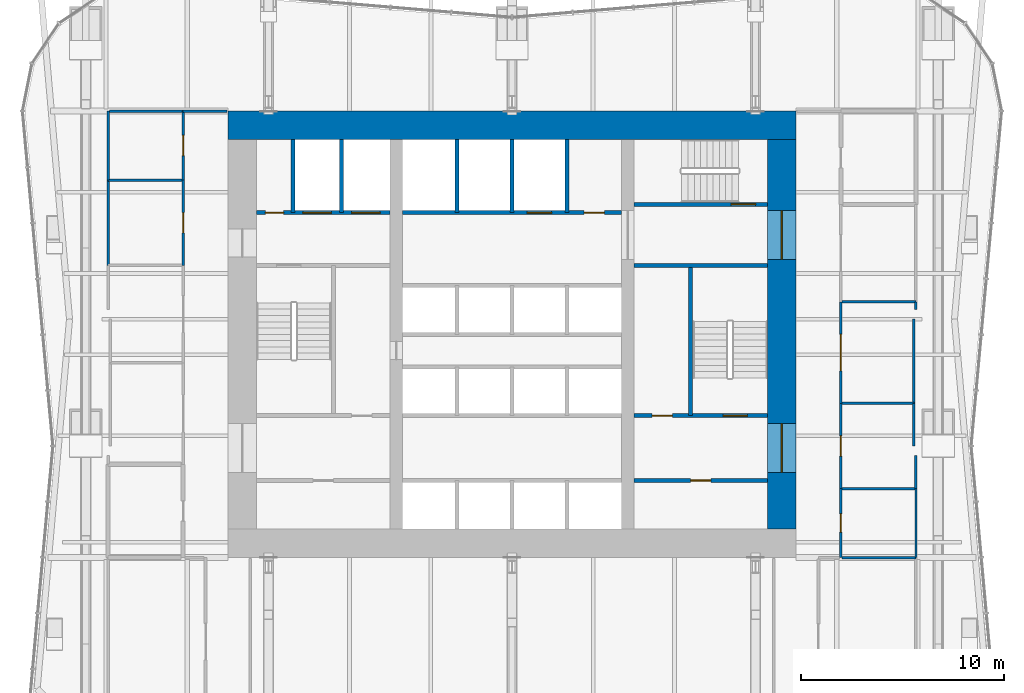
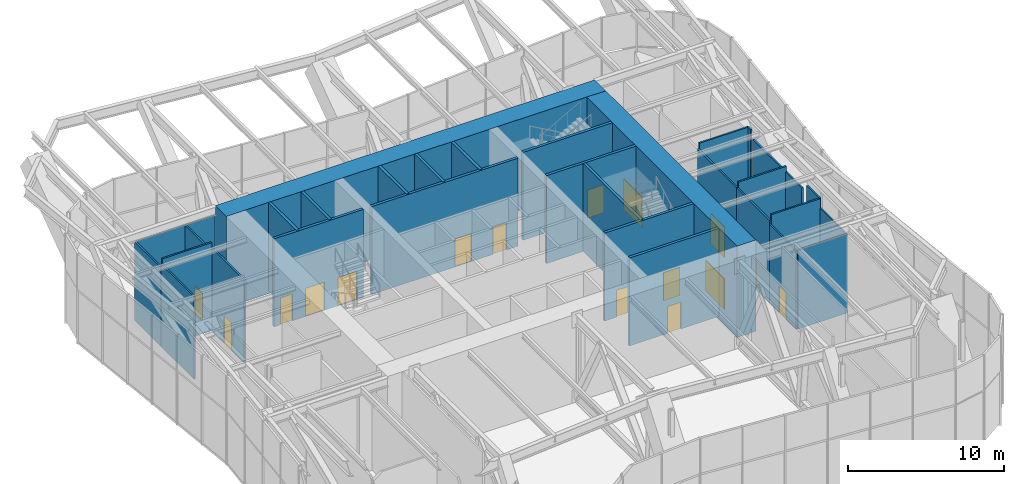
# One storey, part 13 of 17: 33 walls, 16 doors, 16 openings.
"""IFC4 building model written with IfcOpenShell, lengths in metres."""

from ifc_helpers import new_model, si_unit, direction, frame, frame_2d, origin, place, context, subcontext, project, spatial, rectangle, extrude, material, layer, layer_set, type_object, element, fill, save


model = new_model("IFC4")

# Units and contexts
model_context = context("Model", 3, precision=1e-05, world=origin(), true_north=direction((0.0, 1.0)))
body_context = subcontext(model_context, "Body", "Model", "MODEL_VIEW")
ifc_project = project(units=[si_unit("LENGTHUNIT", "METRE"), si_unit("AREAUNIT", "SQUARE_METRE"), si_unit("VOLUMEUNIT", "CUBIC_METRE"), si_unit("PLANEANGLEUNIT", "RADIAN"), si_unit("MASSUNIT", "GRAM", prefix="KILO")], contexts=[model_context])

# Site, building, storey
site_placement = place(None, origin())
site = spatial("IfcSite", under=ifc_project, at=site_placement, CompositionType="ELEMENT")
building_placement = place(site_placement, origin())
building = spatial("IfcBuilding", under=site, at=building_placement, Name="Verdant Reach Tower", CompositionType="ELEMENT")
storey_placement = place(building_placement, frame((0.0, 0.0, 58.0)))
storey = spatial("IfcBuildingStorey", under=building, at=storey_placement, Name="L13 Plant", CompositionType="ELEMENT", Elevation=58.0)

# Wall, opening, door
ifc_material_1 = material(Name="Gypsum board on steel studs", Category="steel")
ifc_layer_1 = layer(ifc_material_1, 0.199951171875)
ifc_layer_set_1 = layer_set([ifc_layer_1], Name="CO-WALL-ROOM")
wall_type_1 = type_object("IfcWallType", Name="CO-WALL-ROOM", PredefinedType="PARTITIONING", material=ifc_layer_set_1)
wall_1_placement = place(storey_placement, frame((6.0, 20.800048828125, 0.0), z_axis=(0.0, 0.0, 1.0), x_axis=(1.0, 0.0, 0.0)))
wall_1 = element("IfcWall", 1, at=wall_1_placement, inside=storey, type_object=wall_type_1, Name="Core partition, L13 Plant", PredefinedType="PARTITIONING", context=body_context, shape_type="SweptSolid", body=[
    extrude(rectangle(XDim=6.60009765625, YDim=0.199951171875, at=frame_2d((3.300048828125, 0.0))), origin(), (0.0, 0.0, 1.0), 6.8701171875),
])
opening_1_placement = place(wall_1_placement, frame((2.800048828125, 0.0, 0.0)))
opening_1 = element("IfcOpeningElement", 2, at=opening_1_placement, cuts=wall_1, Name="Opening CD", PredefinedType="OPENING", context=body_context, shape_type="SweptSolid", body=[
    extrude(rectangle(XDim=1.0, YDim=2.10009765625, at=frame_2d((0.5, 1.050048828125))), frame((0.0, 0.10986328125, 0.0), z_axis=(0.0, -1.0, 0.0), x_axis=(1.0, 0.0, 0.0)), (0.0, 0.0, 1.0), 0.219970703125),
])
ifc_material_2 = material(Name="Timber", Category="wood")
door_type_1 = type_object("IfcDoorType", Name="CO-DOOR-ROOM", OperationType="NOTDEFINED", PredefinedType="DOOR", material=ifc_material_2)
door_1_placement = place(opening_1_placement, origin())
door_1 = element("IfcDoor", 3, at=door_1_placement, inside=storey, type_object=door_type_1, Name="Core room door, L13 Plant", OperationType="SINGLE_SWING_RIGHT", OverallHeight=2.10009765625, OverallWidth=1.0, PredefinedType="DOOR", context=body_context, shape_type="SweptSolid", body=[
    extrude(rectangle(XDim=1.0, YDim=2.10009765625, at=frame_2d((0.5, 1.050048828125))), frame((0.0, 0.02490234375, 0.0), z_axis=(0.0, -1.0, 0.0), x_axis=(1.0, 0.0, 0.0)), (0.0, 0.0, 1.0), 0.050048828125),
])
fill(opening_1, door_1)

# Wall, openings, doors
ifc_material_3 = material(Name="Concrete C40/50", Category="concrete")
ifc_layer_2 = layer(ifc_material_3, 0.199951171875)
ifc_layer_set_2 = layer_set([ifc_layer_2], Name="CO-WALL-SHAFT")
wall_type_2 = type_object("IfcWallType", Name="CO-WALL-SHAFT", PredefinedType="PARTITIONING", material=ifc_layer_set_2)
wall_2_placement = place(storey_placement, frame((-12.60009765625, 34.0, 0.0), z_axis=(0.0, 0.0, 1.0), x_axis=(1.0, 0.0, 0.0)))
wall_2 = element("IfcWall", 4, at=wall_2_placement, inside=storey, type_object=wall_type_2, Name="Lift shaft wall, L13 Plant", PredefinedType="PARTITIONING", context=body_context, shape_type="SweptSolid", body=[
    extrude(rectangle(XDim=6.60009765625, YDim=0.199951171875, at=frame_2d((3.300048828125, 0.0))), origin(), (0.0, 0.0, 1.0), 6.8701171875),
])
opening_2_placement = place(wall_2_placement, frame((4.699951171875, 0.0, 0.0)))
opening_2 = element("IfcOpeningElement", 5, at=opening_2_placement, cuts=wall_2, Name="Opening LD-F1", PredefinedType="OPENING", context=body_context, shape_type="SweptSolid", body=[
    extrude(rectangle(XDim=1.39990234375, YDim=2.199951171875, at=frame_2d((0.699951171875, 1.10009765625))), frame((0.0, 0.10986328125, 0.0), z_axis=(0.0, -1.0, 0.0), x_axis=(1.0, 0.0, 0.0)), (0.0, 0.0, 1.0), 0.219970703125),
])
opening_3_placement = place(wall_2_placement, frame((2.300048828125, 0.0, 0.0)))
opening_3 = element("IfcOpeningElement", 6, at=opening_3_placement, cuts=wall_2, Name="Opening LD-F2", PredefinedType="OPENING", context=body_context, shape_type="SweptSolid", body=[
    extrude(rectangle(XDim=1.39990234375, YDim=2.199951171875, at=frame_2d((0.699951171875, 1.10009765625))), frame((0.0, 0.10986328125, 0.0), z_axis=(0.0, -1.0, 0.0), x_axis=(1.0, 0.0, 0.0)), (0.0, 0.0, 1.0), 0.219970703125),
])
opening_4_placement = place(wall_2_placement, frame((0.449951171875, 0.0, 0.0)))
opening_4 = element("IfcOpeningElement", 7, at=opening_4_placement, cuts=wall_2, Name="Opening RD", PredefinedType="OPENING", context=body_context, shape_type="SweptSolid", body=[
    extrude(rectangle(XDim=0.89990234375, YDim=2.10009765625, at=frame_2d((0.449951171875, 1.050048828125))), frame((0.0, 0.10986328125, 0.0), z_axis=(0.0, -1.0, 0.0), x_axis=(1.0, 0.0, 0.0)), (0.0, 0.0, 1.0), 0.219970703125),
])
ifc_material_4 = material(Name="Stainless steel", Category="steel")
door_type_2 = type_object("IfcDoorType", Name="CO-DOOR-LANDING-FF", OperationType="SLIDING_TO_LEFT", PredefinedType="DOOR", material=ifc_material_4)
door_2_placement = place(opening_2_placement, origin())
door_2 = element("IfcDoor", 8, at=door_2_placement, inside=storey, type_object=door_type_2, Name="Landing door F1, L13 Plant", OperationType="SLIDING_TO_LEFT", OverallHeight=2.199951171875, OverallWidth=1.39990234375, PredefinedType="DOOR", context=body_context, shape_type="SweptSolid", body=[
    extrude(rectangle(XDim=1.39990234375, YDim=2.199951171875, at=frame_2d((0.699951171875, 1.10009765625))), frame((0.0, 0.02490234375, 0.0), z_axis=(0.0, -1.0, 0.0), x_axis=(1.0, 0.0, 0.0)), (0.0, 0.0, 1.0), 0.050048828125),
])
fill(opening_2, door_2)
door_3_placement = place(opening_3_placement, origin())
door_3 = element("IfcDoor", 9, at=door_3_placement, inside=storey, type_object=door_type_2, Name="Landing door F2, L13 Plant", OperationType="SLIDING_TO_LEFT", OverallHeight=2.199951171875, OverallWidth=1.39990234375, PredefinedType="DOOR", context=body_context, shape_type="SweptSolid", body=[
    extrude(rectangle(XDim=1.39990234375, YDim=2.199951171875, at=frame_2d((0.699951171875, 1.10009765625))), frame((0.0, 0.02490234375, 0.0), z_axis=(0.0, -1.0, 0.0), x_axis=(1.0, 0.0, 0.0)), (0.0, 0.0, 1.0), 0.050048828125),
])
fill(opening_3, door_3)
ifc_material_5 = material(Name="Steel", Category="steel")
door_type_3 = type_object("IfcDoorType", Name="CO-DOOR-RISER", OperationType="NOTDEFINED", PredefinedType="DOOR", material=ifc_material_5)
door_4_placement = place(opening_4_placement, origin())
door_4 = element("IfcDoor", 10, at=door_4_placement, inside=storey, type_object=door_type_3, Name="Core room door, L13 Plant", OperationType="SINGLE_SWING_RIGHT", OverallHeight=2.10009765625, OverallWidth=0.89990234375, PredefinedType="DOOR", context=body_context, shape_type="SweptSolid", body=[
    extrude(rectangle(XDim=0.89990234375, YDim=2.10009765625, at=frame_2d((0.449951171875, 1.050048828125))), frame((0.0, 0.02490234375, 0.0), z_axis=(0.0, -1.0, 0.0), x_axis=(1.0, 0.0, 0.0)), (0.0, 0.0, 1.0), 0.050048828125),
])
fill(opening_4, door_4)

wall_3_placement = place(storey_placement, frame((-5.39990234375, 34.0, 0.0), z_axis=(0.0, 0.0, 1.0), x_axis=(1.0, 0.0, 0.0)))
wall_3 = element("IfcWall", 11, at=wall_3_placement, inside=storey, type_object=wall_type_2, Name="Lift shaft wall, L13 Plant", PredefinedType="PARTITIONING", context=body_context, shape_type="SweptSolid", body=[
    extrude(rectangle(XDim=10.7998046875, YDim=0.199951171875, at=frame_2d((5.39990234375, 0.0))), origin(), (0.0, 0.0, 1.0), 6.8701171875),
])
opening_5_placement = place(wall_3_placement, frame((6.14990234375, 0.0, 0.0)))
opening_5 = element("IfcOpeningElement", 12, at=opening_5_placement, cuts=wall_3, Name="Opening LD-SL1", PredefinedType="OPENING", context=body_context, shape_type="SweptSolid", body=[
    extrude(rectangle(XDim=1.199951171875, YDim=2.199951171875, at=frame_2d((0.60009765625, 1.10009765625))), frame((0.0, 0.10986328125, 0.0), z_axis=(0.0, -1.0, 0.0), x_axis=(1.0, 0.0, 0.0)), (0.0, 0.0, 1.0), 0.219970703125),
])
opening_6_placement = place(wall_3_placement, frame((8.949951171875, 0.0, 0.0)))
opening_6 = element("IfcOpeningElement", 13, at=opening_6_placement, cuts=wall_3, Name="Opening CD", PredefinedType="OPENING", context=body_context, shape_type="SweptSolid", body=[
    extrude(rectangle(XDim=1.0, YDim=2.10009765625, at=frame_2d((0.5, 1.050048828125))), frame((0.0, 0.10986328125, 0.0), z_axis=(0.0, -1.0, 0.0), x_axis=(1.0, 0.0, 0.0)), (0.0, 0.0, 1.0), 0.219970703125),
])
door_type_4 = type_object("IfcDoorType", Name="CO-DOOR-LANDING", OperationType="SLIDING_TO_LEFT", PredefinedType="DOOR", material=ifc_material_4)
door_5_placement = place(opening_5_placement, origin())
door_5 = element("IfcDoor", 14, at=door_5_placement, inside=storey, type_object=door_type_4, Name="Landing door SL1, L13 Plant", OperationType="SLIDING_TO_LEFT", OverallHeight=2.199951171875, OverallWidth=1.199951171875, PredefinedType="DOOR", context=body_context, shape_type="SweptSolid", body=[
    extrude(rectangle(XDim=1.199951171875, YDim=2.199951171875, at=frame_2d((0.60009765625, 1.10009765625))), frame((0.0, 0.02490234375, 0.0), z_axis=(0.0, -1.0, 0.0), x_axis=(1.0, 0.0, 0.0)), (0.0, 0.0, 1.0), 0.050048828125),
])
fill(opening_5, door_5)
door_6_placement = place(opening_6_placement, origin())
door_6 = element("IfcDoor", 15, at=door_6_placement, inside=storey, type_object=door_type_1, Name="Core room door, L13 Plant", OperationType="SINGLE_SWING_LEFT", OverallHeight=2.10009765625, OverallWidth=1.0, PredefinedType="DOOR", context=body_context, shape_type="SweptSolid", body=[
    extrude(rectangle(XDim=1.0, YDim=2.10009765625, at=frame_2d((0.5, 1.050048828125))), frame((0.0, 0.02490234375, 0.0), z_axis=(0.0, -1.0, 0.0), x_axis=(1.0, 0.0, 0.0)), (0.0, 0.0, 1.0), 0.050048828125),
])
fill(opening_6, door_6)

# Walls
for number, where, z_axis, x_axis, name in (
    (16, (-10.800048828125, 34.0, 0.0), (0.0, 0.0, 1.0), (0.0, 1.0, 0.0), "Lift shaft wall, L13 Plant"),
    (17, (-8.39990234375, 34.0, 0.0), (0.0, 0.0, 1.0), (0.0, 1.0, 0.0), "Lift shaft wall, L13 Plant"),
    (18, (-2.699951171875, 34.0, 0.0), (0.0, 0.0, 1.0), (0.0, 1.0, 0.0), "Lift shaft wall, L13 Plant"),
    (19, (0.0, 34.0, 0.0), (0.0, 0.0, 1.0), (0.0, 1.0, 0.0), "Lift shaft wall, L13 Plant"),
    (20, (2.699951171875, 34.0, 0.0), (0.0, 0.0, 1.0), (0.0, 1.0, 0.0), "Lift shaft wall, L13 Plant"),
):
    element("IfcWall", number, at=place(storey_placement, frame(where, z_axis=z_axis, x_axis=x_axis)), inside=storey, type_object=wall_type_2, Name=name, PredefinedType="PARTITIONING", context=body_context, shape_type="SweptSolid", body=[
        extrude(rectangle(XDim=3.60009765625, YDim=0.199951171875, at=frame_2d((1.800048828125, 0.0))), origin(), (0.0, 0.0, 1.0), 6.8701171875),
    ])

# Wall, openings, doors
ifc_layer_3 = layer(ifc_material_3, 0.199951171875)
ifc_layer_set_3 = layer_set([ifc_layer_3], Name="CO-WALL-STAIR")
wall_type_3 = type_object("IfcWallType", Name="CO-WALL-STAIR", PredefinedType="PARTITIONING", material=ifc_layer_set_3)
wall_4_placement = place(storey_placement, frame((6.0, 24.0, 0.0), z_axis=(0.0, 0.0, 1.0), x_axis=(1.0, 0.0, 0.0)))
wall_4 = element("IfcWall", 21, at=wall_4_placement, inside=storey, type_object=wall_type_3, Name="Stair enclosure wall, L13 Plant", PredefinedType="PARTITIONING", context=body_context, shape_type="SweptSolid", body=[
    extrude(rectangle(XDim=6.60009765625, YDim=0.199951171875, at=frame_2d((3.300048828125, 0.0))), origin(), (0.0, 0.0, 1.0), 6.8701171875),
])
opening_7_placement = place(wall_4_placement, frame((0.89990234375, 0.0, 0.0)))
opening_7 = element("IfcOpeningElement", 22, at=opening_7_placement, cuts=wall_4, Name="Opening CD", PredefinedType="OPENING", context=body_context, shape_type="SweptSolid", body=[
    extrude(rectangle(XDim=1.0, YDim=2.10009765625, at=frame_2d((0.5, 1.050048828125))), frame((0.0, 0.10986328125, 0.0), z_axis=(0.0, -1.0, 0.0), x_axis=(1.0, 0.0, 0.0)), (0.0, 0.0, 1.0), 0.219970703125),
])
opening_8_placement = place(wall_4_placement, frame((4.39990234375, 0.0, 0.0)))
opening_8 = element("IfcOpeningElement", 23, at=opening_8_placement, cuts=wall_4, Name="Opening SD", PredefinedType="OPENING", context=body_context, shape_type="SweptSolid", body=[
    extrude(rectangle(XDim=1.199951171875, YDim=2.199951171875, at=frame_2d((0.60009765625, 1.10009765625))), frame((0.0, 0.10986328125, 0.0), z_axis=(0.0, -1.0, 0.0), x_axis=(1.0, 0.0, 0.0)), (0.0, 0.0, 1.0), 0.219970703125),
])
door_7_placement = place(opening_7_placement, origin())
door_7 = element("IfcDoor", 24, at=door_7_placement, inside=storey, type_object=door_type_1, Name="Core room door, L13 Plant", OperationType="SINGLE_SWING_LEFT", OverallHeight=2.10009765625, OverallWidth=1.0, PredefinedType="DOOR", context=body_context, shape_type="SweptSolid", body=[
    extrude(rectangle(XDim=1.0, YDim=2.10009765625, at=frame_2d((0.5, 1.050048828125))), frame((0.0, 0.02490234375, 0.0), z_axis=(0.0, -1.0, 0.0), x_axis=(1.0, 0.0, 0.0)), (0.0, 0.0, 1.0), 0.050048828125),
])
fill(opening_7, door_7)
door_type_5 = type_object("IfcDoorType", Name="CO-DOOR-STAIR", OperationType="NOTDEFINED", PredefinedType="DOOR", material=ifc_material_5)
door_8_placement = place(opening_8_placement, origin())
door_8 = element("IfcDoor", 25, at=door_8_placement, inside=storey, type_object=door_type_5, Name="Stair door, L13 Plant", OperationType="SINGLE_SWING_LEFT", OverallHeight=2.199951171875, OverallWidth=1.199951171875, PredefinedType="DOOR", context=body_context, shape_type="SweptSolid", body=[
    extrude(rectangle(XDim=1.199951171875, YDim=2.199951171875, at=frame_2d((0.60009765625, 1.10009765625))), frame((0.0, 0.02490234375, 0.0), z_axis=(0.0, -1.0, 0.0), x_axis=(1.0, 0.0, 0.0)), (0.0, 0.0, 1.0), 0.050048828125),
])
fill(opening_8, door_8)

# Wall
wall_5_placement = place(storey_placement, frame((6.0, 31.39990234375, 0.0), z_axis=(0.0, 0.0, 1.0), x_axis=(1.0, 0.0, 0.0)))
element("IfcWall", 26, at=wall_5_placement, inside=storey, type_object=wall_type_3, Name="Stair enclosure wall, L13 Plant", PredefinedType="PARTITIONING", context=body_context, shape_type="SweptSolid", body=[
    extrude(rectangle(XDim=6.60009765625, YDim=0.199951171875, at=frame_2d((3.300048828125, 0.0))), origin(), (0.0, 0.0, 1.0), 6.8701171875),
])

# Wall, opening, door
wall_6_placement = place(storey_placement, frame((6.0, 34.39990234375, 0.0), z_axis=(0.0, 0.0, 1.0), x_axis=(1.0, 0.0, 0.0)))
wall_6 = element("IfcWall", 27, at=wall_6_placement, inside=storey, type_object=wall_type_3, Name="Stair enclosure wall, L13 Plant", PredefinedType="PARTITIONING", context=body_context, shape_type="SweptSolid", body=[
    extrude(rectangle(XDim=6.60009765625, YDim=0.199951171875, at=frame_2d((3.300048828125, 0.0))), origin(), (0.0, 0.0, 1.0), 6.8701171875),
])
opening_9_placement = place(wall_6_placement, frame((4.800048828125, 0.0, 0.0)))
opening_9 = element("IfcOpeningElement", 28, at=opening_9_placement, cuts=wall_6, Name="Opening SD", PredefinedType="OPENING", context=body_context, shape_type="SweptSolid", body=[
    extrude(rectangle(XDim=1.199951171875, YDim=2.199951171875, at=frame_2d((0.60009765625, 1.10009765625))), frame((0.0, 0.10986328125, 0.0), z_axis=(0.0, -1.0, 0.0), x_axis=(1.0, 0.0, 0.0)), (0.0, 0.0, 1.0), 0.219970703125),
])
door_9_placement = place(opening_9_placement, origin())
door_9 = element("IfcDoor", 29, at=door_9_placement, inside=storey, type_object=door_type_5, Name="Stair door, L13 Plant", OperationType="SINGLE_SWING_RIGHT", OverallHeight=2.199951171875, OverallWidth=1.199951171875, PredefinedType="DOOR", context=body_context, shape_type="SweptSolid", body=[
    extrude(rectangle(XDim=1.199951171875, YDim=2.199951171875, at=frame_2d((0.60009765625, 1.10009765625))), frame((0.0, 0.02490234375, 0.0), z_axis=(0.0, -1.0, 0.0), x_axis=(1.0, 0.0, 0.0)), (0.0, 0.0, 1.0), 0.050048828125),
])
fill(opening_9, door_9)

# Walls
wall_7_placement = place(storey_placement, frame((8.800048828125, 24.0, 0.0), z_axis=(0.0, 0.0, 1.0), x_axis=(0.0, 1.0, 0.0)))
element("IfcWall", 30, at=wall_7_placement, inside=storey, type_object=wall_type_3, Name="Stair enclosure wall, L13 Plant", PredefinedType="PARTITIONING", context=body_context, shape_type="SweptSolid", body=[
    extrude(rectangle(XDim=7.39990234375, YDim=0.199951171875, at=frame_2d((3.699951171875, 0.0))), origin(), (0.0, 0.0, 1.0), 6.8701171875),
])
ifc_material_6 = material(Name="Concrete C70/85", Category="concrete")
ifc_layer_4 = layer(ifc_material_6, 1.39990234375)
ifc_layer_set_4 = layer_set([ifc_layer_4], Name="ST-CORE-WALL-1400")
wall_type_4 = type_object("IfcWallType", Name="ST-CORE-WALL-1400", PredefinedType="SHEAR", material=ifc_layer_set_4)
wall_8_placement = place(storey_placement, frame((-14.0, 38.300048828125, -0.25), z_axis=(0.0, 0.0, 1.0), x_axis=(1.0, 0.0, 0.0)))
element("IfcWall", 31, at=wall_8_placement, inside=storey, type_object=wall_type_4, Name="Core wall N, L13 Plant", PredefinedType="SHEAR", context=body_context, shape_type="SweptSolid", body=[
    extrude(rectangle(XDim=28.0, YDim=1.39990234375, at=frame_2d((14.0, 0.0))), origin(), (0.0, 0.0, 1.0), 7.1201171875),
])

# Wall, openings, doors
wall_9_placement = place(storey_placement, frame((13.300048828125, 18.39990234375, -0.25), z_axis=(0.0, 0.0, 1.0), x_axis=(0.0, 1.0, 0.0)))
wall_9 = element("IfcWall", 32, at=wall_9_placement, inside=storey, type_object=wall_type_4, Name="Core wall E, L13 Plant", PredefinedType="SHEAR", context=body_context, shape_type="SweptSolid", body=[
    extrude(rectangle(XDim=19.2001953125, YDim=1.39990234375, at=frame_2d((9.60009765625, 0.0))), origin(), (0.0, 0.0, 1.0), 7.1201171875),
])
opening_10_placement = place(wall_9_placement, frame((2.800048828125, 0.0, 0.25)))
opening_10 = element("IfcOpeningElement", 33, at=opening_10_placement, cuts=wall_9, Name="Opening LB", PredefinedType="OPENING", context=body_context, shape_type="SweptSolid", body=[
    extrude(rectangle(XDim=2.39990234375, YDim=2.39990234375, at=frame_2d((1.199951171875, 1.199951171875))), frame((0.0, 0.7099609375, 0.0), z_axis=(0.0, -1.0, 0.0), x_axis=(1.0, 0.0, 0.0)), (0.0, 0.0, 1.0), 1.419921875),
])
opening_11_placement = place(wall_9_placement, frame((13.300048828125, 0.0, 0.25)))
opening_11 = element("IfcOpeningElement", 34, at=opening_11_placement, cuts=wall_9, Name="Opening LB", PredefinedType="OPENING", context=body_context, shape_type="SweptSolid", body=[
    extrude(rectangle(XDim=2.39990234375, YDim=2.39990234375, at=frame_2d((1.199951171875, 1.199951171875))), frame((0.0, 0.7099609375, 0.0), z_axis=(0.0, -1.0, 0.0), x_axis=(1.0, 0.0, 0.0)), (0.0, 0.0, 1.0), 1.419921875),
])
ifc_material_7 = material(Name="Glass and steel", Category="steel")
door_type_6 = type_object("IfcDoorType", Name="CO-DOOR-LOBBY", OperationType="DOUBLE_DOOR_SINGLE_SWING", PredefinedType="DOOR", material=ifc_material_7)
door_10_placement = place(opening_10_placement, origin())
door_10 = element("IfcDoor", 35, at=door_10_placement, inside=storey, type_object=door_type_6, Name="Core entrance door, L13 Plant", OperationType="DOUBLE_DOOR_SINGLE_SWING", OverallHeight=2.39990234375, OverallWidth=2.39990234375, PredefinedType="DOOR", context=body_context, shape_type="SweptSolid", body=[
    extrude(rectangle(XDim=2.39990234375, YDim=2.39990234375, at=frame_2d((1.199951171875, 1.199951171875))), frame((0.0, 0.02490234375, 0.0), z_axis=(0.0, -1.0, 0.0), x_axis=(1.0, 0.0, 0.0)), (0.0, 0.0, 1.0), 0.050048828125),
])
fill(opening_10, door_10)
door_11_placement = place(opening_11_placement, origin())
door_11 = element("IfcDoor", 36, at=door_11_placement, inside=storey, type_object=door_type_6, Name="Core entrance door, L13 Plant", OperationType="DOUBLE_DOOR_SINGLE_SWING", OverallHeight=2.39990234375, OverallWidth=2.39990234375, PredefinedType="DOOR", context=body_context, shape_type="SweptSolid", body=[
    extrude(rectangle(XDim=2.39990234375, YDim=2.39990234375, at=frame_2d((1.199951171875, 1.199951171875))), frame((0.0, 0.02490234375, 0.0), z_axis=(0.0, -1.0, 0.0), x_axis=(1.0, 0.0, 0.0)), (0.0, 0.0, 1.0), 0.050048828125),
])
fill(opening_11, door_11)

# Wall
ifc_layer_5 = layer(ifc_material_1, 0.10009765625)
ifc_layer_set_5 = layer_set([ifc_layer_5], Name="SV-W1 Partition 100")
wall_type_5 = type_object("IfcWallType", Name="SV-W1 Partition 100", PredefinedType="PARTITIONING", material=ifc_layer_set_5)
wall_10_placement = place(storey_placement, frame((19.89990234375, 20.39794921875, 0.0), z_axis=(0.0, 0.0, 1.0), x_axis=(0.0, -1.0, 0.0)))
element("IfcWall", 37, at=wall_10_placement, inside=storey, type_object=wall_type_5, Name="Partition L13.32", PredefinedType="PARTITIONING", context=body_context, shape_type="SweptSolid", body=[
    extrude(rectangle(XDim=3.39599609375, YDim=0.10009765625, at=frame_2d((1.697998046875, 0.0))), origin(), (0.0, 0.0, 1.0), 6.139892578125),
])

# Wall, opening, door
ifc_material_8 = material(Name="Gypsum board on steel studs, fire rated", Category="steel")
ifc_layer_6 = layer(ifc_material_8, 0.125)
ifc_layer_set_6 = layer_set([ifc_layer_6], Name="SV-W2 Plant wall 125 EI 60")
wall_type_6 = type_object("IfcWallType", Name="SV-W2 Plant wall 125 EI 60", PredefinedType="PARTITIONING", material=ifc_layer_set_6)
wall_11_placement = place(storey_placement, frame((16.199951171875, 17.0, 0.0), z_axis=(0.0, 0.0, 1.0), x_axis=(0.0, 1.0, 0.0)))
wall_11 = element("IfcWall", 38, at=wall_11_placement, inside=storey, type_object=wall_type_6, Name="Partition L13.01", PredefinedType="PARTITIONING", context=body_context, shape_type="SweptSolid", body=[
    extrude(rectangle(XDim=3.39990234375, YDim=0.125, at=frame_2d((1.699951171875, 0.0))), origin(), (0.0, 0.0, 1.0), 6.139892578125),
])
opening_12_placement = place(wall_11_placement, frame((1.25, 0.0, 0.0)))
opening_12 = element("IfcOpeningElement", 39, at=opening_12_placement, cuts=wall_11, Name="Opening SD1", PredefinedType="OPENING", context=body_context, shape_type="SweptSolid", body=[
    extrude(rectangle(XDim=0.89990234375, YDim=2.10009765625, at=frame_2d((0.449951171875, 1.050048828125))), frame((0.0, 0.072509765625, 0.0), z_axis=(0.0, -1.0, 0.0), x_axis=(1.0, 0.0, 0.0)), (0.0, 0.0, 1.0), 0.14501953125),
])
ifc_material_9 = material(Name="Painted timber door leaf", Category="wood")
door_type_7 = type_object("IfcDoorType", Name="SV-D1 Door 900x2100", OperationType="NOTDEFINED", PredefinedType="DOOR", material=ifc_material_9)
door_12_placement = place(opening_12_placement, origin())
door_12 = element("IfcDoor", 40, at=door_12_placement, inside=storey, type_object=door_type_7, Name="Door L13-001", OperationType="SINGLE_SWING_LEFT", OverallHeight=2.10009765625, OverallWidth=0.89990234375, PredefinedType="DOOR", context=body_context, shape_type="SweptSolid", body=[
    extrude(rectangle(XDim=0.89990234375, YDim=2.10009765625, at=frame_2d((0.449951171875, 1.050048828125))), frame((0.0, 0.02490234375, 0.0), z_axis=(0.0, -1.0, 0.0), x_axis=(1.0, 0.0, 0.0)), (0.0, 0.0, 1.0), 0.050048828125),
])
fill(opening_12, door_12)

wall_12_placement = place(storey_placement, frame((16.199951171875, 20.39990234375, 0.0), z_axis=(0.0, 0.0, 1.0), x_axis=(0.0, 1.0, 0.0)))
wall_12 = element("IfcWall", 41, at=wall_12_placement, inside=storey, type_object=wall_type_6, Name="Partition L13.02", PredefinedType="PARTITIONING", context=body_context, shape_type="SweptSolid", body=[
    extrude(rectangle(XDim=4.2001953125, YDim=0.125, at=frame_2d((2.10009765625, 0.0))), origin(), (0.0, 0.0, 1.0), 6.43994140625),
])
opening_13_placement = place(wall_12_placement, frame((1.60009765625, 0.0, 0.0)))
opening_13 = element("IfcOpeningElement", 42, at=opening_13_placement, cuts=wall_12, Name="Opening SD2", PredefinedType="OPENING", context=body_context, shape_type="SweptSolid", body=[
    extrude(rectangle(XDim=1.0, YDim=2.10009765625, at=frame_2d((0.5, 1.050048828125))), frame((0.0, 0.072509765625, 0.0), z_axis=(0.0, -1.0, 0.0), x_axis=(1.0, 0.0, 0.0)), (0.0, 0.0, 1.0), 0.14501953125),
])
ifc_material_10 = material(Name="Steel door leaf, fire rated", Category="steel")
door_type_8 = type_object("IfcDoorType", Name="SV-D2 Door 1000x2100 FD60", OperationType="NOTDEFINED", PredefinedType="DOOR", material=ifc_material_10)
door_13_placement = place(opening_13_placement, origin())
door_13 = element("IfcDoor", 43, at=door_13_placement, inside=storey, type_object=door_type_8, Name="Door L13-002", OperationType="SINGLE_SWING_RIGHT", OverallHeight=2.10009765625, OverallWidth=1.0, PredefinedType="DOOR", context=body_context, shape_type="SweptSolid", body=[
    extrude(rectangle(XDim=1.0, YDim=2.10009765625, at=frame_2d((0.5, 1.050048828125))), frame((0.0, 0.02490234375, 0.0), z_axis=(0.0, -1.0, 0.0), x_axis=(1.0, 0.0, 0.0)), (0.0, 0.0, 1.0), 0.050048828125),
])
fill(opening_13, door_13)

wall_13_placement = place(storey_placement, frame((16.199951171875, 24.60009765625, 0.0), z_axis=(0.0, 0.0, 1.0), x_axis=(0.0, 1.0, 0.0)))
wall_13 = element("IfcWall", 44, at=wall_13_placement, inside=storey, type_object=wall_type_6, Name="Partition L13.03", PredefinedType="PARTITIONING", context=body_context, shape_type="SweptSolid", body=[
    extrude(rectangle(XDim=5.0, YDim=0.125, at=frame_2d((2.5, 0.0))), origin(), (0.0, 0.0, 1.0), 6.43994140625),
])
opening_14_placement = place(wall_13_placement, frame((1.60009765625, 0.0, 0.0)))
opening_14 = element("IfcOpeningElement", 45, at=opening_14_placement, cuts=wall_13, Name="Opening SD3", PredefinedType="OPENING", context=body_context, shape_type="SweptSolid", body=[
    extrude(rectangle(XDim=1.800048828125, YDim=2.39990234375, at=frame_2d((0.89990234375, 1.199951171875))), frame((0.0, 0.072509765625, 0.0), z_axis=(0.0, -1.0, 0.0), x_axis=(1.0, 0.0, 0.0)), (0.0, 0.0, 1.0), 0.14501953125),
])
ifc_material_11 = material(Name="Steel door leaves, fire rated", Category="steel")
door_type_9 = type_object("IfcDoorType", Name="SV-D3 Equipment door 1800x2400 FD60", OperationType="DOUBLE_DOOR_SINGLE_SWING", PredefinedType="DOOR", material=ifc_material_11)
door_14_placement = place(opening_14_placement, origin())
door_14 = element("IfcDoor", 46, at=door_14_placement, inside=storey, type_object=door_type_9, Name="Door L13-003", OperationType="DOUBLE_DOOR_SINGLE_SWING", OverallHeight=2.39990234375, OverallWidth=1.800048828125, PredefinedType="DOOR", context=body_context, shape_type="SweptSolid", body=[
    extrude(rectangle(XDim=1.800048828125, YDim=2.39990234375, at=frame_2d((0.89990234375, 1.199951171875))), frame((0.0, 0.02490234375, 0.0), z_axis=(0.0, -1.0, 0.0), x_axis=(1.0, 0.0, 0.0)), (0.0, 0.0, 1.0), 0.050048828125),
])
fill(opening_14, door_14)

# Walls
wall_14_placement = place(storey_placement, frame((16.262451171875, 20.39990234375, 0.0), z_axis=(0.0, 0.0, 1.0), x_axis=(1.0, 0.0, 0.0)))
element("IfcWall", 47, at=wall_14_placement, inside=storey, type_object=wall_type_6, Name="Partition L13.09", PredefinedType="PARTITIONING", context=body_context, shape_type="SweptSolid", body=[
    extrude(rectangle(XDim=3.637451171875, YDim=0.125, at=frame_2d((1.81884765625, 0.0))), origin(), (0.0, 0.0, 1.0), 6.8701171875),
])
wall_15_placement = place(storey_placement, frame((19.89990234375, 17.0, 0.0), z_axis=(0.0, 0.0, 1.0), x_axis=(-1.0, 0.0, 0.0)))
element("IfcWall", 48, at=wall_15_placement, inside=storey, type_object=wall_type_6, Name="Partition L13.10", PredefinedType="PARTITIONING", context=body_context, shape_type="SweptSolid", body=[
    extrude(rectangle(XDim=3.637451171875, YDim=0.125, at=frame_2d((1.81884765625, 0.0))), origin(), (0.0, 0.0, 1.0), 6.139892578125),
])
wall_16_placement = place(storey_placement, frame((16.262451171875, 24.60009765625, 0.0), z_axis=(0.0, 0.0, 1.0), x_axis=(1.0, 0.0, 0.0)))
element("IfcWall", 49, at=wall_16_placement, inside=storey, type_object=wall_type_6, Name="Partition L13.11", PredefinedType="PARTITIONING", context=body_context, shape_type="SweptSolid", body=[
    extrude(rectangle(XDim=3.53759765625, YDim=0.125, at=frame_2d((1.768798828125, 0.0))), origin(), (0.0, 0.0, 1.0), 6.8701171875),
])
wall_17_placement = place(storey_placement, frame((16.262451171875, 29.60009765625, 0.0), z_axis=(0.0, 0.0, 1.0), x_axis=(1.0, 0.0, 0.0)))
element("IfcWall", 50, at=wall_17_placement, inside=storey, type_object=wall_type_6, Name="Partition L13.12", PredefinedType="PARTITIONING", context=body_context, shape_type="SweptSolid", body=[
    extrude(rectangle(XDim=3.637451171875, YDim=0.125, at=frame_2d((1.81884765625, 0.0))), origin(), (0.0, 0.0, 1.0), 6.8701171875),
])

# Wall, opening, door
wall_18_placement = place(storey_placement, frame((-16.199951171875, 35.60009765625, 0.0), z_axis=(0.0, 0.0, 1.0), x_axis=(0.0, -1.0, 0.0)))
wall_18 = element("IfcWall", 51, at=wall_18_placement, inside=storey, type_object=wall_type_6, Name="Partition L13.18", PredefinedType="PARTITIONING", context=body_context, shape_type="SweptSolid", body=[
    extrude(rectangle(XDim=4.2001953125, YDim=0.125, at=frame_2d((2.10009765625, 0.0))), origin(), (0.0, 0.0, 1.0), 6.43994140625),
])
opening_15_placement = place(wall_18_placement, frame((1.60009765625, 0.0, 0.0)))
opening_15 = element("IfcOpeningElement", 52, at=opening_15_placement, cuts=wall_18, Name="Opening SD2", PredefinedType="OPENING", context=body_context, shape_type="SweptSolid", body=[
    extrude(rectangle(XDim=1.0, YDim=2.10009765625, at=frame_2d((0.5, 1.050048828125))), frame((0.0, 0.072509765625, 0.0), z_axis=(0.0, -1.0, 0.0), x_axis=(1.0, 0.0, 0.0)), (0.0, 0.0, 1.0), 0.14501953125),
])
door_15_placement = place(opening_15_placement, origin())
door_15 = element("IfcDoor", 53, at=door_15_placement, inside=storey, type_object=door_type_8, Name="Door L13-011", OperationType="SINGLE_SWING_LEFT", OverallHeight=2.10009765625, OverallWidth=1.0, PredefinedType="DOOR", context=body_context, shape_type="SweptSolid", body=[
    extrude(rectangle(XDim=1.0, YDim=2.10009765625, at=frame_2d((0.5, 1.050048828125))), frame((0.0, 0.02490234375, 0.0), z_axis=(0.0, -1.0, 0.0), x_axis=(1.0, 0.0, 0.0)), (0.0, 0.0, 1.0), 0.050048828125),
])
fill(opening_15, door_15)

wall_19_placement = place(storey_placement, frame((-16.199951171875, 39.0, 0.0), z_axis=(0.0, 0.0, 1.0), x_axis=(0.0, -1.0, 0.0)))
wall_19 = element("IfcWall", 54, at=wall_19_placement, inside=storey, type_object=wall_type_6, Name="Partition L13.19", PredefinedType="PARTITIONING", context=body_context, shape_type="SweptSolid", body=[
    extrude(rectangle(XDim=3.39990234375, YDim=0.125, at=frame_2d((1.699951171875, 0.0))), origin(), (0.0, 0.0, 1.0), 6.139892578125),
])
opening_16_placement = place(wall_19_placement, frame((1.199951171875, 0.0, 0.0)))
opening_16 = element("IfcOpeningElement", 55, at=opening_16_placement, cuts=wall_19, Name="Opening SD2", PredefinedType="OPENING", context=body_context, shape_type="SweptSolid", body=[
    extrude(rectangle(XDim=1.0, YDim=2.10009765625, at=frame_2d((0.5, 1.050048828125))), frame((0.0, 0.072509765625, 0.0), z_axis=(0.0, -1.0, 0.0), x_axis=(1.0, 0.0, 0.0)), (0.0, 0.0, 1.0), 0.14501953125),
])
door_16_placement = place(opening_16_placement, origin())
door_16 = element("IfcDoor", 56, at=door_16_placement, inside=storey, type_object=door_type_8, Name="Door L13-012", OperationType="SINGLE_SWING_RIGHT", OverallHeight=2.10009765625, OverallWidth=1.0, PredefinedType="DOOR", context=body_context, shape_type="SweptSolid", body=[
    extrude(rectangle(XDim=1.0, YDim=2.10009765625, at=frame_2d((0.5, 1.050048828125))), frame((0.0, 0.02490234375, 0.0), z_axis=(0.0, -1.0, 0.0), x_axis=(1.0, 0.0, 0.0)), (0.0, 0.0, 1.0), 0.050048828125),
])
fill(opening_16, door_16)

# Walls
wall_20_placement = place(storey_placement, frame((-19.89990234375, 35.60009765625, 0.0), z_axis=(0.0, 0.0, 1.0), x_axis=(1.0, 0.0, 0.0)))
element("IfcWall", 57, at=wall_20_placement, inside=storey, type_object=wall_type_6, Name="Partition L13.27", PredefinedType="PARTITIONING", context=body_context, shape_type="SweptSolid", body=[
    extrude(rectangle(XDim=3.637451171875, YDim=0.125, at=frame_2d((1.81884765625, 0.0))), origin(), (0.0, 0.0, 1.0), 6.8701171875),
])
wall_21_placement = place(storey_placement, frame((19.800048828125, 24.597900390625, 0.0), z_axis=(0.0, 0.0, 1.0), x_axis=(0.0, -1.0, 0.0)))
element("IfcWall", 58, at=wall_21_placement, inside=storey, type_object=wall_type_6, Name="Partition L13.33", PredefinedType="PARTITIONING", context=body_context, shape_type="SweptSolid", body=[
    extrude(rectangle(XDim=2.097900390625, YDim=0.125, at=frame_2d((1.048828125, 0.0))), origin(), (0.0, 0.0, 1.0), 6.43994140625),
])
wall_22_placement = place(storey_placement, frame((19.89990234375, 22.02197265625, 0.0), z_axis=(0.0, 0.0, 1.0), x_axis=(0.0, -1.0, 0.0)))
element("IfcWall", 59, at=wall_22_placement, inside=storey, type_object=wall_type_6, Name="Partition L13.34", PredefinedType="PARTITIONING", context=body_context, shape_type="SweptSolid", body=[
    extrude(rectangle(XDim=1.619873046875, YDim=0.125, at=frame_2d((0.81005859375, 0.0))), origin(), (0.0, 0.0, 1.0), 6.8701171875),
])
wall_23_placement = place(storey_placement, frame((19.89990234375, 29.597900390625, 0.0), z_axis=(0.0, 0.0, 1.0), x_axis=(0.0, -1.0, 0.0)))
element("IfcWall", 60, at=wall_23_placement, inside=storey, type_object=wall_type_6, Name="Partition L13.35", PredefinedType="PARTITIONING", context=body_context, shape_type="SweptSolid", body=[
    extrude(rectangle(XDim=0.369873046875, YDim=0.125, at=frame_2d((0.18505859375, 0.0))), origin(), (0.0, 0.0, 1.0), 6.8701171875),
])
wall_24_placement = place(storey_placement, frame((19.800048828125, 28.75, 0.0), z_axis=(0.0, 0.0, 1.0), x_axis=(0.0, -1.0, 0.0)))
element("IfcWall", 61, at=wall_24_placement, inside=storey, type_object=wall_type_6, Name="Partition L13.36", PredefinedType="PARTITIONING", context=body_context, shape_type="SweptSolid", body=[
    extrude(rectangle(XDim=4.14794921875, YDim=0.125, at=frame_2d((2.073974609375, 0.0))), origin(), (0.0, 0.0, 1.0), 6.43994140625),
])
wall_25_placement = place(storey_placement, frame((-16.197998046875, 39.0, 0.0), z_axis=(0.0, 0.0, 1.0), x_axis=(1.0, 0.0, 0.0)))
element("IfcWall", 62, at=wall_25_placement, inside=storey, type_object=wall_type_6, Name="Partition L13.43", PredefinedType="PARTITIONING", context=body_context, shape_type="SweptSolid", body=[
    extrude(rectangle(XDim=2.14794921875, YDim=0.125, at=frame_2d((1.073974609375, 0.0))), origin(), (0.0, 0.0, 1.0), 6.139892578125),
])
wall_26_placement = place(storey_placement, frame((-19.89990234375, 31.402099609375, 0.0), z_axis=(0.0, 0.0, 1.0), x_axis=(0.0, 1.0, 0.0)))
element("IfcWall", 63, at=wall_26_placement, inside=storey, type_object=wall_type_6, Name="Partition L13.51", PredefinedType="PARTITIONING", context=body_context, shape_type="SweptSolid", body=[
    extrude(rectangle(XDim=4.19580078125, YDim=0.125, at=frame_2d((2.097900390625, 0.0))), origin(), (0.0, 0.0, 1.0), 6.43994140625),
])
wall_27_placement = place(storey_placement, frame((-19.89990234375, 35.60205078125, 0.0), z_axis=(0.0, 0.0, 1.0), x_axis=(0.0, 1.0, 0.0)))
element("IfcWall", 64, at=wall_27_placement, inside=storey, type_object=wall_type_6, Name="Partition L13.52", PredefinedType="PARTITIONING", context=body_context, shape_type="SweptSolid", body=[
    extrude(rectangle(XDim=3.39794921875, YDim=0.125, at=frame_2d((1.698974609375, 0.0))), origin(), (0.0, 0.0, 1.0), 6.139892578125),
])
wall_28_placement = place(storey_placement, frame((-19.83740234375, 39.0, 0.0), z_axis=(0.0, 0.0, 1.0), x_axis=(1.0, 0.0, 0.0)))
element("IfcWall", 65, at=wall_28_placement, inside=storey, type_object=wall_type_6, Name="Partition L13.53", PredefinedType="PARTITIONING", context=body_context, shape_type="SweptSolid", body=[
    extrude(rectangle(XDim=3.635498046875, YDim=0.125, at=frame_2d((1.81787109375, 0.0))), origin(), (0.0, 0.0, 1.0), 6.139892578125),
])

save(model, "model.ifc")
